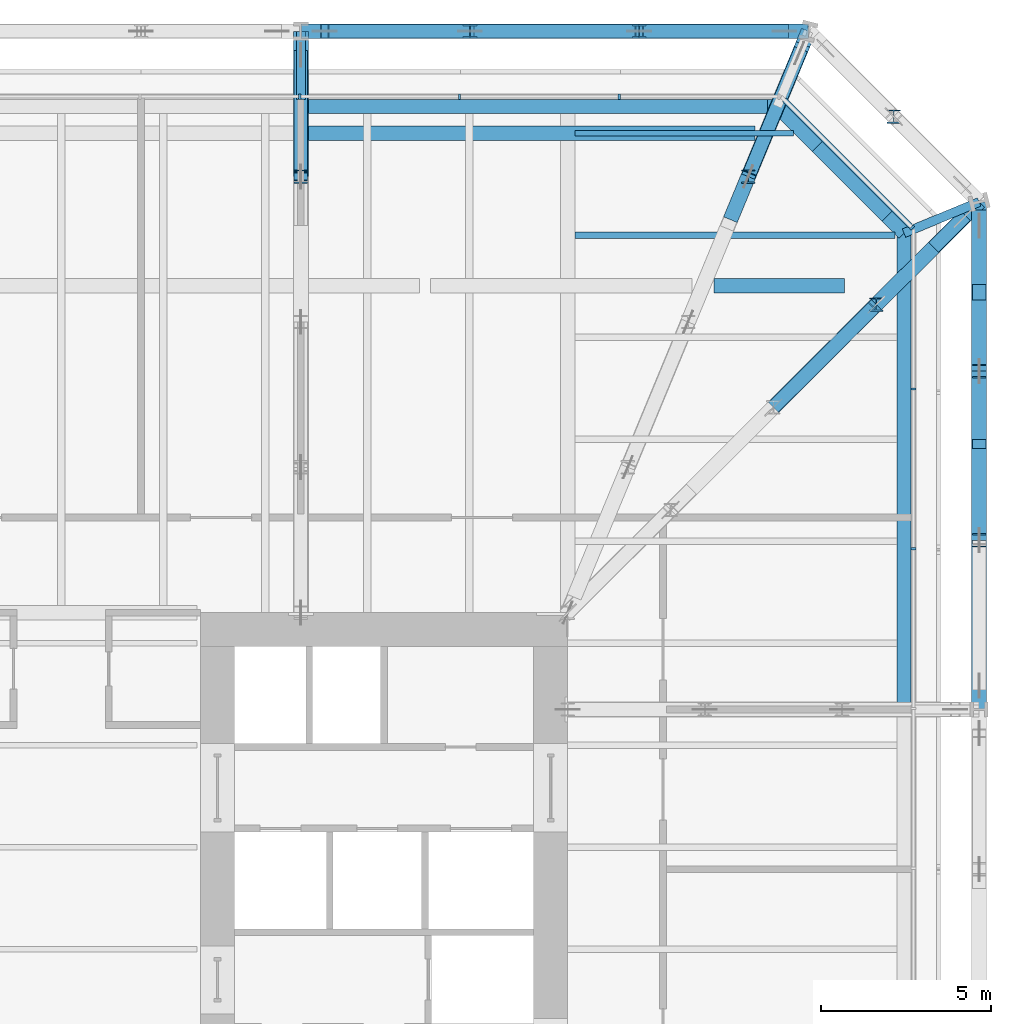
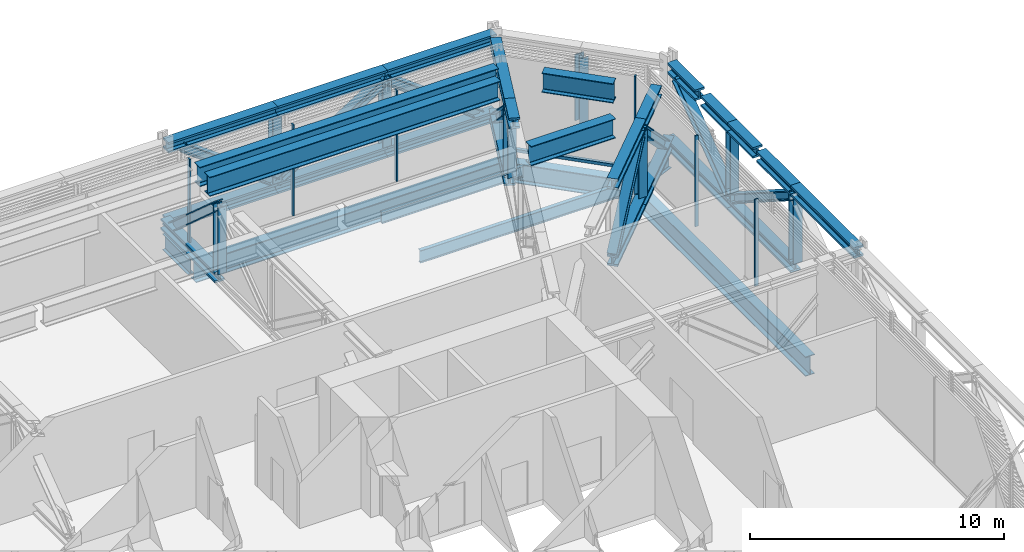
# One storey, part 19 of 33: 32 beams, 24 members, 3 elements without a shape of their own.
"""IFC4 building model written with IfcOpenShell, lengths in metres."""

from ifc_helpers import new_model, si_unit, direction, frame, origin, origin_2d, place, context, subcontext, project, spatial, rectangle, i_section, extrude, material, layer, layer_set, material_profile, profile_set, type_object, element, aggregate, save


model = new_model("IFC4")

# Units and contexts
model_context = context("Model", 3, precision=1e-05, world=origin(), true_north=direction((0.0, 1.0)))
body_context = subcontext(model_context, "Body", "Model", "MODEL_VIEW")
ifc_project = project(units=[si_unit("LENGTHUNIT", "METRE"), si_unit("AREAUNIT", "SQUARE_METRE"), si_unit("VOLUMEUNIT", "CUBIC_METRE"), si_unit("PLANEANGLEUNIT", "RADIAN"), si_unit("MASSUNIT", "GRAM", prefix="KILO")], contexts=[model_context])

# Site, building, storey
site_placement = place(None, origin())
site = spatial("IfcSite", under=ifc_project, at=site_placement, CompositionType="ELEMENT")
building_placement = place(site_placement, origin())
building = spatial("IfcBuilding", under=site, at=building_placement, Name="Millrace Tower", CompositionType="ELEMENT")
storey_placement = place(building_placement, frame((0.0, 0.0, 64.10009765625)))
storey = spatial("IfcBuildingStorey", under=building, at=storey_placement, Name="L14", CompositionType="ELEMENT", Elevation=64.10009765625)

# Beams
ifc_material_1 = material(Name="Steel ASTM A992 Grade 50", Category="steel")
ifc_material_profile_1 = material_profile(ifc_material_1, i_section(OverallWidth=0.436767578125, OverallDepth=0.51318359375, WebThickness=0.060546875, FlangeThickness=0.096923828125, FilletRadius=0.01513671875, at=origin_2d()))
ifc_profile_set_1 = profile_set([ifc_material_profile_1], Name="Steel ASTM A992 Grade 50")
beam_type_1 = type_object("IfcBeamType", Name="Belt truss chord W14x550", PredefinedType="BEAM", material=ifc_profile_set_1)
beam_1_placement = place(storey_placement, frame((27.0, 12.026123046875, 0.25634765625), z_axis=(0.0, 1.0, 0.0), x_axis=(-1.0, 0.0, 0.0)))
element("IfcBeam", 1, at=beam_1_placement, inside=storey, type_object=beam_type_1, Name="BLT-L14-R08-B02", PredefinedType="BEAM", context=body_context, shape_type="SweptSolid", body=[
    extrude(i_section(OverallWidth=0.436767578125, OverallDepth=0.51318359375, WebThickness=0.060546875, FlangeThickness=0.096923828125, FilletRadius=0.01513671875, at=origin_2d()), origin(), (0.0, 0.0, 1.0), 4.97607421875),
])
for number, where, z_axis, x_axis, name in (
    (2, (27.0, 17.002197265625, 0.25634765625), (0.0, 1.0, 0.0), (-1.0, 0.0, 0.0), "BLT-L14-R08-B03"),
    (3, (21.978515625, 27.0, 0.25634765625), (-1.0, 0.0, 0.0), (0.0, -1.0, 0.0), "BLT-L14-R10-B01"),
):
    element("IfcBeam", number, at=place(storey_placement, frame(where, z_axis=z_axis, x_axis=x_axis)), inside=storey, type_object=beam_type_1, Name=name, PredefinedType="BEAM", context=body_context, shape_type="SweptSolid", body=[
        extrude(i_section(OverallWidth=0.436767578125, OverallDepth=0.51318359375, WebThickness=0.060546875, FlangeThickness=0.096923828125, FilletRadius=0.01513671875, at=origin_2d()), origin(), (0.0, 0.0, 1.0), 4.976318359375),
    ])
for number, where, z_axis, x_axis, name in (
    (4, (17.002197265625, 27.0, 0.25634765625), (-1.0, 0.0, 0.0), (0.0, -1.0, 0.0), "BLT-L14-R10-B02"),
    (5, (17.002197265625, 27.0, 3.943359375), (-1.0, 0.0, 0.0), (0.0, -1.0, 0.0), "BLT-L14-R10-T02"),
    (6, (12.026123046875, 27.0, 0.25634765625), (-1.0, 0.0, 0.0), (0.0, -1.0, 0.0), "BLT-L14-R10-B03"),
):
    element("IfcBeam", number, at=place(storey_placement, frame(where, z_axis=z_axis, x_axis=x_axis)), inside=storey, type_object=beam_type_1, Name=name, PredefinedType="BEAM", context=body_context, shape_type="SweptSolid", body=[
        extrude(i_section(OverallWidth=0.436767578125, OverallDepth=0.51318359375, WebThickness=0.060546875, FlangeThickness=0.096923828125, FilletRadius=0.01513671875, at=origin_2d()), origin(), (0.0, 0.0, 1.0), 4.97607421875),
    ])
beam_2_placement = place(storey_placement, frame((27.0, 7.0673828125, 3.943359375), z_axis=(0.0, 1.0, 0.0), x_axis=(-1.0, 0.0, 0.0)))
element("IfcBeam", 7, at=beam_2_placement, inside=storey, type_object=beam_type_1, Name="BLT-L14-R08-T01", PredefinedType="BEAM", context=body_context, shape_type="SweptSolid", body=[
    extrude(i_section(OverallWidth=0.436767578125, OverallDepth=0.51318359375, WebThickness=0.060546875, FlangeThickness=0.096923828125, FilletRadius=0.01513671875, at=origin_2d()), origin(), (0.0, 0.0, 1.0), 4.958740234375),
])
beam_3_placement = place(storey_placement, frame((27.0, 12.026123046875, 3.943359375), z_axis=(0.0, 1.0, 0.0), x_axis=(-1.0, 0.0, 0.0)))
element("IfcBeam", 8, at=beam_3_placement, inside=storey, type_object=beam_type_1, Name="BLT-L14-R08-T02-a", PredefinedType="BEAM", context=body_context, shape_type="SweptSolid", body=[
    extrude(i_section(OverallWidth=0.436767578125, OverallDepth=0.51318359375, WebThickness=0.060546875, FlangeThickness=0.096923828125, FilletRadius=0.01513671875, at=origin_2d()), origin(), (0.0, 0.0, 1.0), 2.695556640625),
])
beam_4_placement = place(storey_placement, frame((27.0, 14.999755859375, 3.943359375), z_axis=(0.0, 1.0, 0.0), x_axis=(-1.0, 0.0, 0.0)))
element("IfcBeam", 9, at=beam_4_placement, inside=storey, type_object=beam_type_1, Name="BLT-L14-R08-T02-b", PredefinedType="BEAM", context=body_context, shape_type="SweptSolid", body=[
    extrude(i_section(OverallWidth=0.436767578125, OverallDepth=0.51318359375, WebThickness=0.060546875, FlangeThickness=0.096923828125, FilletRadius=0.01513671875, at=origin_2d()), origin(), (0.0, 0.0, 1.0), 2.00244140625),
])
beam_5_placement = place(storey_placement, frame((21.961181640625, 27.0, 3.943359375), z_axis=(-1.0, 0.0, 0.0), x_axis=(0.0, -1.0, 0.0)))
element("IfcBeam", 10, at=beam_5_placement, inside=storey, type_object=beam_type_1, Name="BLT-L14-R10-T01", PredefinedType="BEAM", context=body_context, shape_type="SweptSolid", body=[
    extrude(i_section(OverallWidth=0.436767578125, OverallDepth=0.51318359375, WebThickness=0.060546875, FlangeThickness=0.096923828125, FilletRadius=0.01513671875, at=origin_2d()), origin(), (0.0, 0.0, 1.0), 4.958984375),
])
beam_6_placement = place(storey_placement, frame((12.026123046875, 27.0, 3.943359375), z_axis=(-1.0, 0.0, 0.0), x_axis=(0.0, -1.0, 0.0)))
element("IfcBeam", 11, at=beam_6_placement, inside=storey, type_object=beam_type_1, Name="BLT-L14-R10-T03", PredefinedType="BEAM", context=body_context, shape_type="SweptSolid", body=[
    extrude(i_section(OverallWidth=0.436767578125, OverallDepth=0.51318359375, WebThickness=0.060546875, FlangeThickness=0.096923828125, FilletRadius=0.01513671875, at=origin_2d()), origin(), (0.0, 0.0, 1.0), 4.958740234375),
])
beam_7_placement = place(storey_placement, frame((27.0, 17.002197265625, 3.943359375), z_axis=(0.0, 1.0, 0.0), x_axis=(-1.0, 0.0, 0.0)))
element("IfcBeam", 12, at=beam_7_placement, inside=storey, type_object=beam_type_1, Name="BLT-L14-R08-T03-a", PredefinedType="BEAM", context=body_context, shape_type="SweptSolid", body=[
    extrude(i_section(OverallWidth=0.436767578125, OverallDepth=0.51318359375, WebThickness=0.060546875, FlangeThickness=0.096923828125, FilletRadius=0.01513671875, at=origin_2d()), origin(), (0.0, 0.0, 1.0), 2.09912109375),
])
beam_8_placement = place(storey_placement, frame((27.0, 19.553466796875, 3.943359375), z_axis=(0.0, 1.0, 0.0), x_axis=(-1.0, 0.0, 0.0)))
element("IfcBeam", 13, at=beam_8_placement, inside=storey, type_object=beam_type_1, Name="BLT-L14-R08-T03-b", PredefinedType="BEAM", context=body_context, shape_type="SweptSolid", body=[
    extrude(i_section(OverallWidth=0.436767578125, OverallDepth=0.51318359375, WebThickness=0.060546875, FlangeThickness=0.096923828125, FilletRadius=0.01513671875, at=origin_2d()), origin(), (0.0, 0.0, 1.0), 2.186767578125),
])

# Members
ifc_material_2 = material(Name="Steel ASTM A992 Grade 50", Category="steel")
ifc_material_profile_2 = material_profile(ifc_material_2, i_section(OverallWidth=0.40380859375, OverallDepth=0.406494140625, WebThickness=0.027099609375, FlangeThickness=0.043701171875, FilletRadius=0.01513671875, at=origin_2d()))
ifc_profile_set_2 = profile_set([ifc_material_profile_2], Name="Steel ASTM A992 Grade 50")
member_type_1 = type_object("IfcMemberType", Name="Belt truss diagonal W14x233", PredefinedType="BRACE", material=ifc_profile_set_2)
member_1_placement = place(storey_placement, frame((27.0, 17.002197265625, 0.512939453125), z_axis=(0.0, -0.843105769353, 0.537747767716), x_axis=(1.0, 0.0, 0.0)))
element("IfcMember", 14, at=member_1_placement, inside=storey, type_object=member_type_1, Name="BLT-L14-R08-D02", PredefinedType="BRACE", context=body_context, shape_type="SweptSolid", body=[
    extrude(i_section(OverallWidth=0.40380859375, OverallDepth=0.406494140625, WebThickness=0.027099609375, FlangeThickness=0.043701171875, FilletRadius=0.01513671875, at=origin_2d()), origin(), (0.0, 0.0, 1.0), 5.902099609375),
])
for number, where, z_axis, x_axis, name in (
    (15, (27.0, 17.002197265625, 0.512939453125), (0.0, 0.802988323282, 0.59599475893), (-1.0, 0.0, 0.0), "BLT-L14-R08-D03"),
    (16, (21.2783203125, 27.0, 0.512939453125), (-0.802988323282, 0.0, 0.59599475893), (0.0, -1.0, 0.0), "BLT-L14-R10-D01"),
):
    element("IfcMember", number, at=place(storey_placement, frame(where, z_axis=z_axis, x_axis=x_axis)), inside=storey, type_object=member_type_1, Name=name, PredefinedType="BRACE", context=body_context, shape_type="SweptSolid", body=[
        extrude(i_section(OverallWidth=0.40380859375, OverallDepth=0.406494140625, WebThickness=0.027099609375, FlangeThickness=0.043701171875, FilletRadius=0.01513671875, at=origin_2d()), origin(), (0.0, 0.0, 1.0), 5.3251953125),
    ])
member_2_placement = place(storey_placement, frame((12.026123046875, 27.0, 0.512939453125), z_axis=(0.843105769353, 0.0, 0.537747767716), x_axis=(0.0, 1.0, 0.0)))
element("IfcMember", 17, at=member_2_placement, inside=storey, type_object=member_type_1, Name="BLT-L14-R10-D02", PredefinedType="BRACE", context=body_context, shape_type="SweptSolid", body=[
    extrude(i_section(OverallWidth=0.40380859375, OverallDepth=0.406494140625, WebThickness=0.027099609375, FlangeThickness=0.043701171875, FilletRadius=0.01513671875, at=origin_2d()), origin(), (0.0, 0.0, 1.0), 5.902099609375),
])
member_3_placement = place(storey_placement, frame((12.026123046875, 27.0, 0.512939453125), z_axis=(-0.802988323282, 0.0, 0.59599475893), x_axis=(0.0, -1.0, 0.0)))
element("IfcMember", 18, at=member_3_placement, inside=storey, type_object=member_type_1, Name="BLT-L14-R10-D03", PredefinedType="BRACE", context=body_context, shape_type="SweptSolid", body=[
    extrude(i_section(OverallWidth=0.40380859375, OverallDepth=0.406494140625, WebThickness=0.027099609375, FlangeThickness=0.043701171875, FilletRadius=0.01513671875, at=origin_2d()), origin(), (0.0, 0.0, 1.0), 5.3251953125),
])
ifc_material_3 = material(Name="Steel ASTM A992 Grade 50", Category="steel")
ifc_material_profile_3 = material_profile(ifc_material_3, i_section(OverallWidth=0.398681640625, OverallDepth=0.393798828125, WebThickness=0.022705078125, FlangeThickness=0.03662109375, FilletRadius=0.01513671875, at=origin_2d()))
ifc_profile_set_3 = profile_set([ifc_material_profile_3], Name="Steel ASTM A992 Grade 50")
member_type_2 = type_object("IfcMemberType", Name="Belt truss post W14x193", PredefinedType="POST", material=ifc_profile_set_3)
for number, where, z_axis, x_axis, name in (
    (19, (27.0, 12.026123046875, 0.512939453125), (0.0, 0.0, 1.0), (1.0, 0.0, 0.0), "BLT-L14-R08-V01"),
    (20, (27.0, 17.002197265625, 0.512939453125), (0.0, 0.0, 1.0), (1.0, 0.0, 0.0), "BLT-L14-R08-V02"),
    (21, (24.4892578125, 24.4892578125, 0.512939453125), (0.0, 0.0, 1.0), (1.0, 0.0, 0.0), "BLT-L14-R09-V01"),
    (22, (17.002197265625, 27.0, 0.512939453125), (0.0, 0.0, 1.0), (1.0, 0.0, 0.0), "BLT-L14-R10-V01"),
    (23, (12.026123046875, 27.0, 0.512939453125), (0.0, 0.0, 1.0), (1.0, 0.0, 0.0), "BLT-L14-R10-V02"),
):
    element("IfcMember", number, at=place(storey_placement, frame(where, z_axis=z_axis, x_axis=x_axis)), inside=storey, type_object=member_type_2, Name=name, PredefinedType="POST", context=body_context, shape_type="SweptSolid", body=[
        extrude(i_section(OverallWidth=0.398681640625, OverallDepth=0.393798828125, WebThickness=0.022705078125, FlangeThickness=0.03662109375, FilletRadius=0.01513671875, at=origin_2d()), origin(), (0.0, 0.0, 1.0), 3.173828125),
    ])

# Curtain wall, members
ifc_material_4 = material(Name="Aluminium and glass", Category="aluminium")
ifc_layer = layer(ifc_material_4, 0.14990234375)
ifc_layer_set = layer_set([ifc_layer], Name="Aluminium and glass")
curtain_wall_type = type_object("IfcCurtainWallType", Name="CW-5 truss and plant storey louvred infill", PredefinedType="NOTDEFINED", material=ifc_layer_set)
placement = place(storey_placement, origin())
curtain_wall_1 = element("IfcCurtainWall", 24, at=placement, inside=storey, type_object=curtain_wall_type, Name="Curtain wall A-F04 L14", PredefinedType="NOTDEFINED")
ifc_material_5 = material(Name="Aluminium", Category="aluminium")
ifc_material_profile_4 = material_profile(ifc_material_5, rectangle(XDim=0.06494140625, YDim=0.14990234375, at=origin_2d()))
ifc_profile_set_4 = profile_set([ifc_material_profile_4], Name="Aluminium")
member_type_3 = type_object("IfcMemberType", Name="CW-5 truss and plant storey louvred infill mullion", PredefinedType="MULLION", material=ifc_profile_set_4)
member_4_placement = place(storey_placement, frame((25.074951171875, 11.782470703125, 0.139892578125), z_axis=(0.0, 0.0, 1.0), x_axis=(0.0, 1.0, 0.0)))
member_4 = element("IfcMember", 25, at=member_4_placement, type_object=member_type_3, Name="CW5 mullion A-F04.8", PredefinedType="MULLION", context=body_context, shape_type="SweptSolid", body=[
    extrude(rectangle(XDim=0.06494140625, YDim=0.14990234375, at=origin_2d()), origin(), (0.0, 0.0, 1.0), 4.159912109375),
])
member_5_placement = place(storey_placement, frame((25.074951171875, 16.482421875, 0.139892578125), z_axis=(0.0, 0.0, 1.0), x_axis=(0.0, 1.0, 0.0)))
member_5 = element("IfcMember", 26, at=member_5_placement, type_object=member_type_3, Name="CW5 mullion A-F04.9", PredefinedType="MULLION", context=body_context, shape_type="SweptSolid", body=[
    extrude(rectangle(XDim=0.06494140625, YDim=0.14990234375, at=origin_2d()), origin(), (0.0, 0.0, 1.0), 4.360107421875),
])
aggregate(curtain_wall_1, [member_4, member_5])

# Curtain wall, member
curtain_wall_2 = element("IfcCurtainWall", 27, at=placement, inside=storey, type_object=curtain_wall_type, Name="Curtain wall A-F05 L14", PredefinedType="NOTDEFINED")
member_6_placement = place(storey_placement, frame((25.030029296875, 21.22607421875, 0.139892578125), z_axis=(0.0, 0.0, 1.0), x_axis=(-0.707106781187, 0.707106781187, 0.0)))
member_6 = element("IfcMember", 28, at=member_6_placement, type_object=member_type_3, Name="CW5 mullion A-F05.1", PredefinedType="MULLION", context=body_context, shape_type="SweptSolid", body=[
    extrude(rectangle(XDim=0.06494140625, YDim=0.14990234375, at=origin_2d()), origin(), (0.0, 0.0, 1.0), 4.360107421875),
])

# Curtain wall, members
curtain_wall_3 = element("IfcCurtainWall", 29, at=placement, inside=storey, type_object=curtain_wall_type, Name="Curtain wall A-F06 L14", PredefinedType="NOTDEFINED")
member_7_placement = place(storey_placement, frame((16.41748046875, 25.074951171875, 0.139892578125), z_axis=(0.0, 0.0, 1.0), x_axis=(-1.0, 0.0, 0.0)))
member_7 = element("IfcMember", 30, at=member_7_placement, type_object=member_type_3, Name="CW5 mullion A-F06.2", PredefinedType="MULLION", context=body_context, shape_type="SweptSolid", body=[
    extrude(rectangle(XDim=0.06494140625, YDim=0.14990234375, at=origin_2d()), origin(), (0.0, 0.0, 1.0), 4.360107421875),
])
member_8_placement = place(storey_placement, frame((11.717529296875, 25.074951171875, 0.139892578125), z_axis=(0.0, 0.0, 1.0), x_axis=(-1.0, 0.0, 0.0)))
member_8 = element("IfcMember", 31, at=member_8_placement, type_object=member_type_3, Name="CW5 mullion A-F06.3", PredefinedType="MULLION", context=body_context, shape_type="SweptSolid", body=[
    extrude(rectangle(XDim=0.06494140625, YDim=0.14990234375, at=origin_2d()), origin(), (0.0, 0.0, 1.0), 4.360107421875),
])
member_9_placement = place(storey_placement, frame((7.017578125, 25.074951171875, 0.139892578125), z_axis=(0.0, 0.0, 1.0), x_axis=(-1.0, 0.0, 0.0)))
member_9 = element("IfcMember", 32, at=member_9_placement, type_object=member_type_3, Name="CW5 mullion A-F06.4", PredefinedType="MULLION", context=body_context, shape_type="SweptSolid", body=[
    extrude(rectangle(XDim=0.06494140625, YDim=0.14990234375, at=origin_2d()), origin(), (0.0, 0.0, 1.0), 4.360107421875),
])
aggregate(curtain_wall_3, [member_7, member_8, member_9])

# Member
ifc_material_6 = material(Name="Aluminium", Category="aluminium")
ifc_material_profile_5 = material_profile(ifc_material_6, rectangle(XDim=0.14990234375, YDim=0.139892578125, at=origin_2d()))
ifc_profile_set_5 = profile_set([ifc_material_profile_5], Name="Aluminium")
member_type_4 = type_object("IfcMemberType", Name="CW-5 truss and plant storey louvred infill transom", PredefinedType="USERDEFINED", material=ifc_profile_set_5)
member_10_placement = place(storey_placement, frame((24.982421875, 21.273681640625, 0.06982421875), z_axis=(-0.707106781187, 0.707106781187, 0.0), x_axis=(-0.707106781187, -0.707106781187, 0.0)))
member_10 = element("IfcMember", 33, at=member_10_placement, type_object=member_type_4, Name="CW5 transom A-F05.1", ObjectType="TRANSOM", PredefinedType="USERDEFINED", context=body_context, shape_type="SweptSolid", body=[
    extrude(rectangle(XDim=0.14990234375, YDim=0.139892578125, at=origin_2d()), origin(), (0.0, 0.0, 1.0), 5.244873046875),
])

aggregate(curtain_wall_2, [member_6, member_10])

# Beams
ifc_material_7 = material(Name="Steel ASTM A992 Grade 50", Category="steel")
ifc_material_profile_6 = material_profile(ifc_material_7, i_section(OverallWidth=0.1650390625, OverallDepth=0.52587890625, WebThickness=0.0087890625, FlangeThickness=0.011474609375, FilletRadius=0.0126953125, at=origin_2d()))
ifc_profile_set_6 = profile_set([ifc_material_profile_6], Name="Steel ASTM A992 Grade 50")
beam_type_2 = type_object("IfcBeamType", Name="Floor beam W21x44", PredefinedType="JOIST", material=ifc_profile_set_6)
beam_9_placement = place(storey_placement, frame((15.112060546875, 24.0, -0.512939453125), z_axis=(1.0, 0.0, 0.0), x_axis=(0.0, 1.0, 0.0)))
element("IfcBeam", 34, at=beam_9_placement, inside=storey, type_object=beam_type_2, Name="BM-A-L14-S1-S041", PredefinedType="JOIST", context=body_context, shape_type="SweptSolid", body=[
    extrude(i_section(OverallWidth=0.1650390625, OverallDepth=0.52587890625, WebThickness=0.0087890625, FlangeThickness=0.011474609375, FilletRadius=0.0126953125, at=origin_2d()), origin(), (0.0, 0.0, 1.0), 6.421630859375),
])
ifc_material_8 = material(Name="Steel ASTM A992 Grade 50", Category="steel")
ifc_material_profile_7 = material_profile(ifc_material_8, i_section(OverallWidth=0.177978515625, OverallDepth=0.599365234375, WebThickness=0.010009765625, FlangeThickness=0.012939453125, FilletRadius=0.012939453125, at=origin_2d()))
ifc_profile_set_7 = profile_set([ifc_material_profile_7], Name="Steel ASTM A992 Grade 50")
beam_type_3 = type_object("IfcBeamType", Name="Floor beam W24x55", PredefinedType="JOIST", material=ifc_profile_set_7)
beam_10_placement = place(storey_placement, frame((15.112060546875, 21.0, -0.5498046875), z_axis=(1.0, 0.0, 0.0), x_axis=(0.0, 1.0, 0.0)))
element("IfcBeam", 35, at=beam_10_placement, inside=storey, type_object=beam_type_3, Name="BM-A-L14-S1-S039", PredefinedType="JOIST", context=body_context, shape_type="SweptSolid", body=[
    extrude(i_section(OverallWidth=0.177978515625, OverallDepth=0.599365234375, WebThickness=0.010009765625, FlangeThickness=0.012939453125, FilletRadius=0.012939453125, at=origin_2d()), origin(), (0.0, 0.0, 1.0), 9.417724609375),
])
ifc_material_9 = material(Name="Steel ASTM A992 Grade 50", Category="steel")
ifc_material_profile_8 = material_profile(ifc_material_9, i_section(OverallWidth=0.419189453125, OverallDepth=0.927001953125, WebThickness=0.019287109375, FlangeThickness=0.031982421875, FilletRadius=0.024169921875, at=origin_2d()))
ifc_profile_set_8 = profile_set([ifc_material_profile_8], Name="Steel ASTM A992 Grade 50")
beam_type_4 = type_object("IfcBeamType", Name="Floor beam W36x231", PredefinedType="JOIST", material=ifc_profile_set_8)
beam_11_placement = place(storey_placement, frame((7.212890625, 24.0, 3.83642578125), z_axis=(1.0, 0.0, 0.0), x_axis=(0.0, 1.0, 0.0)))
element("IfcBeam", 36, at=beam_11_placement, inside=storey, type_object=beam_type_4, Name="BM-A-L14-R1-S017-b", PredefinedType="JOIST", context=body_context, shape_type="SweptSolid", body=[
    extrude(i_section(OverallWidth=0.419189453125, OverallDepth=0.927001953125, WebThickness=0.019287109375, FlangeThickness=0.031982421875, FilletRadius=0.024169921875, at=origin_2d()), origin(), (0.0, 0.0, 1.0), 13.196533203125),
])
ifc_material_10 = material(Name="Steel ASTM A992 Grade 50", Category="steel")
ifc_material_profile_9 = material_profile(ifc_material_10, i_section(OverallWidth=0.2666015625, OverallDepth=0.7568359375, WebThickness=0.013916015625, FlangeThickness=0.019287109375, FilletRadius=0.0166015625, at=origin_2d()))
ifc_profile_set_9 = profile_set([ifc_material_profile_9], Name="Steel ASTM A992 Grade 50")
beam_type_5 = type_object("IfcBeamType", Name="Link beam W30x108", PredefinedType="BEAM", material=ifc_profile_set_9)
beam_12_placement = place(storey_placement, frame((7.050048828125, 25.0, -0.628662109375), z_axis=(0.0, 1.0, 0.0), x_axis=(-1.0, 0.0, 0.0)))
element("IfcBeam", 37, at=beam_12_placement, inside=storey, type_object=beam_type_5, Name="LNK-A-L14-S1-07", PredefinedType="BEAM", context=body_context, shape_type="SweptSolid", body=[
    extrude(i_section(OverallWidth=0.2666015625, OverallDepth=0.7568359375, WebThickness=0.013916015625, FlangeThickness=0.019287109375, FilletRadius=0.0166015625, at=origin_2d()), origin(), (0.0, 0.0, 1.0), 2.0),
])
beam_13_placement = place(storey_placement, frame((24.7890625, 21.062744140625, -0.628662109375), z_axis=(0.923883789366, 0.382673155247, 0.0), x_axis=(-0.382673155247, 0.923883789366, 0.0)))
element("IfcBeam", 38, at=beam_13_placement, inside=storey, type_object=beam_type_5, Name="LNK-A-L14-S1-09", PredefinedType="BEAM", context=body_context, shape_type="SweptSolid", body=[
    extrude(i_section(OverallWidth=0.2666015625, OverallDepth=0.7568359375, WebThickness=0.013916015625, FlangeThickness=0.019287109375, FilletRadius=0.0166015625, at=origin_2d()), origin(), (0.0, 0.0, 1.0), 2.39306640625),
])
ifc_material_11 = material(Name="Steel ASTM A992 Grade 50", Category="steel")
ifc_material_profile_10 = material_profile(ifc_material_11, i_section(OverallWidth=0.436767578125, OverallDepth=0.51318359375, WebThickness=0.060546875, FlangeThickness=0.096923828125, FilletRadius=0.01513671875, at=origin_2d()))
ifc_profile_set_10 = profile_set([ifc_material_profile_10], Name="Steel ASTM A992 Grade 50")
beam_type_6 = type_object("IfcBeamType", Name="Outrigger truss chord W14x550", PredefinedType="BEAM", material=ifc_profile_set_10)
for number, where, z_axis, x_axis, name in (
    (39, (20.949951171875, 15.939208984375, 0.25634765625), (0.707763346272, 0.706449605899, 0.0), (-0.706449605899, 0.707763346272, 0.0), "BLT-L14-O09-B03"),
    (40, (20.949951171875, 15.939208984375, 3.943359375), (0.707763346272, 0.706449605899, 0.0), (-0.706449605899, 0.707763346272, 0.0), "BLT-L14-O09-T03"),
    (41, (23.97509765625, 18.958740234375, 0.25634765625), (0.707706277922, 0.706506775756, 0.0), (-0.706506775756, 0.707706277922, 0.0), "BLT-L14-O09-B04"),
):
    element("IfcBeam", number, at=place(storey_placement, frame(where, z_axis=z_axis, x_axis=x_axis)), inside=storey, type_object=beam_type_6, Name=name, PredefinedType="BEAM", context=body_context, shape_type="SweptSolid", body=[
        extrude(i_section(OverallWidth=0.436767578125, OverallDepth=0.51318359375, WebThickness=0.060546875, FlangeThickness=0.096923828125, FilletRadius=0.01513671875, at=origin_2d()), origin(), (0.0, 0.0, 1.0), 4.274169921875),
    ])
beam_14_placement = place(storey_placement, frame((20.208740234375, 22.72509765625, 0.25634765625), z_axis=(0.382508695671, 0.923951891462, 0.0), x_axis=(-0.923951891462, 0.382508695671, 0.0)))
element("IfcBeam", 42, at=beam_14_placement, inside=storey, type_object=beam_type_6, Name="BLT-L14-O10-B04", PredefinedType="BEAM", context=body_context, shape_type="SweptSolid", body=[
    extrude(i_section(OverallWidth=0.436767578125, OverallDepth=0.51318359375, WebThickness=0.060546875, FlangeThickness=0.096923828125, FilletRadius=0.01513671875, at=origin_2d()), origin(), (0.0, 0.0, 1.0), 4.626708984375),
])
beam_15_placement = place(storey_placement, frame((7.050048828125, 22.72509765625, 0.25634765625), z_axis=(0.0, 1.0, 0.0), x_axis=(-1.0, 0.0, 0.0)))
element("IfcBeam", 43, at=beam_15_placement, inside=storey, type_object=beam_type_6, Name="BLT-L14-O11-B04", PredefinedType="BEAM", context=body_context, shape_type="SweptSolid", body=[
    extrude(i_section(OverallWidth=0.436767578125, OverallDepth=0.51318359375, WebThickness=0.060546875, FlangeThickness=0.096923828125, FilletRadius=0.01513671875, at=origin_2d()), origin(), (0.0, 0.0, 1.0), 4.27490234375),
])
beam_16_placement = place(storey_placement, frame((19.684326171875, 21.4580078125, 3.943359375), z_axis=(0.382414690777, 0.923990803135, 0.0), x_axis=(-0.923990803135, 0.382414690777, 0.0)))
element("IfcBeam", 44, at=beam_16_placement, inside=storey, type_object=beam_type_6, Name="BLT-L14-O10-T03-b", PredefinedType="BEAM", context=body_context, shape_type="SweptSolid", body=[
    extrude(i_section(OverallWidth=0.436767578125, OverallDepth=0.51318359375, WebThickness=0.060546875, FlangeThickness=0.096923828125, FilletRadius=0.01513671875, at=origin_2d()), origin(), (0.0, 0.0, 1.0), 1.371337890625),
])
beam_17_placement = place(storey_placement, frame((20.208740234375, 22.72509765625, 3.943359375), z_axis=(0.382479927766, 0.92396380062, 0.0), x_axis=(-0.92396380062, 0.382479927766, 0.0)))
element("IfcBeam", 45, at=beam_17_placement, inside=storey, type_object=beam_type_6, Name="BLT-L14-O10-T04", PredefinedType="BEAM", context=body_context, shape_type="SweptSolid", body=[
    extrude(i_section(OverallWidth=0.436767578125, OverallDepth=0.51318359375, WebThickness=0.060546875, FlangeThickness=0.096923828125, FilletRadius=0.01513671875, at=origin_2d()), origin(), (0.0, 0.0, 1.0), 4.20703125),
])
beam_18_placement = place(storey_placement, frame((23.97509765625, 18.958740234375, 3.943359375), z_axis=(0.707721211061, 0.706491816948, 0.0), x_axis=(-0.706491816948, 0.707721211061, 0.0)))
element("IfcBeam", 46, at=beam_18_placement, inside=storey, type_object=beam_type_6, Name="BLT-L14-O09-T04", PredefinedType="BEAM", context=body_context, shape_type="SweptSolid", body=[
    extrude(i_section(OverallWidth=0.436767578125, OverallDepth=0.51318359375, WebThickness=0.060546875, FlangeThickness=0.096923828125, FilletRadius=0.01513671875, at=origin_2d()), origin(), (0.0, 0.0, 1.0), 2.383056640625),
])

# Members
ifc_material_12 = material(Name="Steel ASTM A992 Grade 50", Category="steel")
ifc_material_profile_11 = material_profile(ifc_material_12, i_section(OverallWidth=0.40380859375, OverallDepth=0.406494140625, WebThickness=0.027099609375, FlangeThickness=0.043701171875, FilletRadius=0.01513671875, at=origin_2d()))
ifc_profile_set_11 = profile_set([ifc_material_profile_11], Name="Steel ASTM A992 Grade 50")
member_type_5 = type_object("IfcMemberType", Name="Outrigger truss diagonal W14x233", PredefinedType="BRACE", material=ifc_profile_set_11)
member_11_placement = place(storey_placement, frame((20.949951171875, 15.939208984375, 0.512939453125), z_axis=(0.568236504847, 0.567181752235, 0.596164519652), x_axis=(-0.706449605899, 0.707763346272, 0.0)))
element("IfcMember", 47, at=member_11_placement, inside=storey, type_object=member_type_5, Name="BLT-L14-O09-D03", PredefinedType="BRACE", context=body_context, shape_type="SweptSolid", body=[
    extrude(i_section(OverallWidth=0.40380859375, OverallDepth=0.406494140625, WebThickness=0.027099609375, FlangeThickness=0.043701171875, FilletRadius=0.01513671875, at=origin_2d()), origin(), (0.0, 0.0, 1.0), 5.32373046875),
])
member_12_placement = place(storey_placement, frame((26.504638671875, 21.48388671875, 0.512939453125), z_axis=(-0.529195836994, -0.52827647351, 0.663984739014), x_axis=(0.706491757517, -0.707721270389, 0.0)))
element("IfcMember", 48, at=member_12_placement, inside=storey, type_object=member_type_5, Name="BLT-L14-O09-D04", PredefinedType="BRACE", context=body_context, shape_type="SweptSolid", body=[
    extrude(i_section(OverallWidth=0.40380859375, OverallDepth=0.406494140625, WebThickness=0.027099609375, FlangeThickness=0.043701171875, FilletRadius=0.01513671875, at=origin_2d()), origin(), (0.0, 0.0, 1.0), 4.780029296875),
])
member_13_placement = place(storey_placement, frame((21.710693359375, 26.353271484375, 0.512939453125), z_axis=(-0.297473659901, -0.718588436246, 0.628601687047), x_axis=(0.923959256302, -0.382490905374, 0.0)))
element("IfcMember", 49, at=member_13_placement, inside=storey, type_object=member_type_5, Name="BLT-L14-O10-D04", PredefinedType="BRACE", context=body_context, shape_type="SweptSolid", body=[
    extrude(i_section(OverallWidth=0.40380859375, OverallDepth=0.406494140625, WebThickness=0.027099609375, FlangeThickness=0.043701171875, FilletRadius=0.01513671875, at=origin_2d()), origin(), (0.0, 0.0, 1.0), 5.049072265625),
])
member_14_placement = place(storey_placement, frame((7.050048828125, 26.300048828125, 0.512939453125), z_axis=(0.0, -0.747814919968, 0.663907256681), x_axis=(1.0, 0.0, 0.0)))
element("IfcMember", 50, at=member_14_placement, inside=storey, type_object=member_type_5, Name="BLT-L14-O11-D04", PredefinedType="BRACE", context=body_context, shape_type="SweptSolid", body=[
    extrude(i_section(OverallWidth=0.40380859375, OverallDepth=0.406494140625, WebThickness=0.027099609375, FlangeThickness=0.043701171875, FilletRadius=0.01513671875, at=origin_2d()), origin(), (0.0, 0.0, 1.0), 4.780517578125),
])
ifc_material_13 = material(Name="Steel ASTM A992 Grade 50", Category="steel")
ifc_material_profile_12 = material_profile(ifc_material_13, i_section(OverallWidth=0.398681640625, OverallDepth=0.393798828125, WebThickness=0.022705078125, FlangeThickness=0.03662109375, FilletRadius=0.01513671875, at=origin_2d()))
ifc_profile_set_12 = profile_set([ifc_material_profile_12], Name="Steel ASTM A992 Grade 50")
member_type_6 = type_object("IfcMemberType", Name="Outrigger truss post W14x193", PredefinedType="POST", material=ifc_profile_set_12)
for number, where, z_axis, x_axis, name in (
    (51, (23.97509765625, 18.958740234375, 0.512939453125), (0.0, 0.0, 1.0), (1.0, 0.0, 0.0), "BLT-L14-O09-V03"),
    (52, (20.208740234375, 22.72509765625, 0.512939453125), (0.0, 0.0, 1.0), (1.0, 0.0, 0.0), "BLT-L14-O10-V03"),
    (53, (7.050048828125, 22.72509765625, 0.512939453125), (0.0, 0.0, 1.0), (1.0, 0.0, 0.0), "BLT-L14-O11-V03"),
):
    element("IfcMember", number, at=place(storey_placement, frame(where, z_axis=z_axis, x_axis=x_axis)), inside=storey, type_object=member_type_6, Name=name, PredefinedType="POST", context=body_context, shape_type="SweptSolid", body=[
        extrude(i_section(OverallWidth=0.398681640625, OverallDepth=0.393798828125, WebThickness=0.022705078125, FlangeThickness=0.03662109375, FilletRadius=0.01513671875, at=origin_2d()), origin(), (0.0, 0.0, 1.0), 3.173828125),
    ])

# Beams
ifc_material_14 = material(Name="Steel ASTM A992 Grade 50", Category="steel")
ifc_material_profile_13 = material_profile(ifc_material_14, i_section(OverallWidth=0.421630859375, OverallDepth=0.937255859375, WebThickness=0.021240234375, FlangeThickness=0.03662109375, FilletRadius=0.024169921875, at=origin_2d()))
ifc_profile_set_13 = profile_set([ifc_material_profile_13], Name="Steel ASTM A992 Grade 50")
beam_type_7 = type_object("IfcBeamType", Name="Ring beam medium span W36x262", PredefinedType="SPANDREL", material=ifc_profile_set_13)
for number, where, z_axis, x_axis, name in (
    (54, (7.050048828125, 24.7890625, -0.71875), (1.0, 0.0, 0.0), (0.0, 1.0, 0.0), "RNG-A-L14-S1-07"),
    (55, (24.7890625, 21.062744140625, -0.71875), (0.0, -1.0, 0.0), (1.0, 0.0, 0.0), "RNG-A-L14-S1-09"),
):
    element("IfcBeam", number, at=place(storey_placement, frame(where, z_axis=z_axis, x_axis=x_axis)), inside=storey, type_object=beam_type_7, Name=name, PredefinedType="SPANDREL", context=body_context, shape_type="SweptSolid", body=[
        extrude(i_section(OverallWidth=0.421630859375, OverallDepth=0.937255859375, WebThickness=0.021240234375, FlangeThickness=0.03662109375, FilletRadius=0.024169921875, at=origin_2d()), origin(), (0.0, 0.0, 1.0), 14.0126953125),
    ])
beam_19_placement = place(storey_placement, frame((7.211181640625, 24.7890625, 3.831298828125), z_axis=(1.0, 0.0, 0.0), x_axis=(0.0, 1.0, 0.0)))
element("IfcBeam", 56, at=beam_19_placement, inside=storey, type_object=beam_type_7, Name="RNG-A-L14-R1-08", PredefinedType="SPANDREL", context=body_context, shape_type="SweptSolid", body=[
    extrude(i_section(OverallWidth=0.421630859375, OverallDepth=0.937255859375, WebThickness=0.021240234375, FlangeThickness=0.03662109375, FilletRadius=0.024169921875, at=origin_2d()), origin(), (0.0, 0.0, 1.0), 13.567626953125),
])
ifc_material_15 = material(Name="Steel ASTM A992 Grade 50", Category="steel")
ifc_material_profile_14 = material_profile(ifc_material_15, i_section(OverallWidth=0.421630859375, OverallDepth=0.937255859375, WebThickness=0.021240234375, FlangeThickness=0.03662109375, FilletRadius=0.024169921875, at=origin_2d()))
ifc_profile_set_14 = profile_set([ifc_material_profile_14], Name="Steel ASTM A992 Grade 50")
beam_type_8 = type_object("IfcBeamType", Name="Ring beam short span W36x262", PredefinedType="SPANDREL", material=ifc_profile_set_14)
beam_20_placement = place(storey_placement, frame((21.062744140625, 24.7890625, -0.71875), z_axis=(0.707106781187, -0.707106781187, 0.0), x_axis=(0.707106781187, 0.707106781187, 0.0)))
element("IfcBeam", 57, at=beam_20_placement, inside=storey, type_object=beam_type_8, Name="RNG-A-L14-S1-08", PredefinedType="SPANDREL", context=body_context, shape_type="SweptSolid", body=[
    extrude(i_section(OverallWidth=0.421630859375, OverallDepth=0.937255859375, WebThickness=0.021240234375, FlangeThickness=0.03662109375, FilletRadius=0.024169921875, at=origin_2d()), origin(), (0.0, 0.0, 1.0), 5.269775390625),
])
beam_21_placement = place(storey_placement, frame((22.2373046875, 23.614501953125, 3.831298828125), z_axis=(0.707106781187, -0.707106781187, 0.0), x_axis=(0.707106781187, 0.707106781187, 0.0)))
element("IfcBeam", 58, at=beam_21_placement, inside=storey, type_object=beam_type_8, Name="RNG-A-L14-R1-09", PredefinedType="SPANDREL", context=body_context, shape_type="SweptSolid", body=[
    extrude(i_section(OverallWidth=0.421630859375, OverallDepth=0.937255859375, WebThickness=0.021240234375, FlangeThickness=0.03662109375, FilletRadius=0.024169921875, at=origin_2d()), origin(), (0.0, 0.0, 1.0), 2.906005859375),
])
beam_22_placement = place(storey_placement, frame((23.03857421875, 19.5107421875, 3.831298828125), z_axis=(-1.0, 0.0, 0.0), x_axis=(0.0, -1.0, 0.0)))
element("IfcBeam", 59, at=beam_22_placement, inside=storey, type_object=beam_type_8, Name="RNG-A-L14-R1-11-a", PredefinedType="SPANDREL", context=body_context, shape_type="SweptSolid", body=[
    extrude(i_section(OverallWidth=0.421630859375, OverallDepth=0.937255859375, WebThickness=0.021240234375, FlangeThickness=0.03662109375, FilletRadius=0.024169921875, at=origin_2d()), origin(), (0.0, 0.0, 1.0), 3.835693359375),
])

save(model, "model.ifc")
